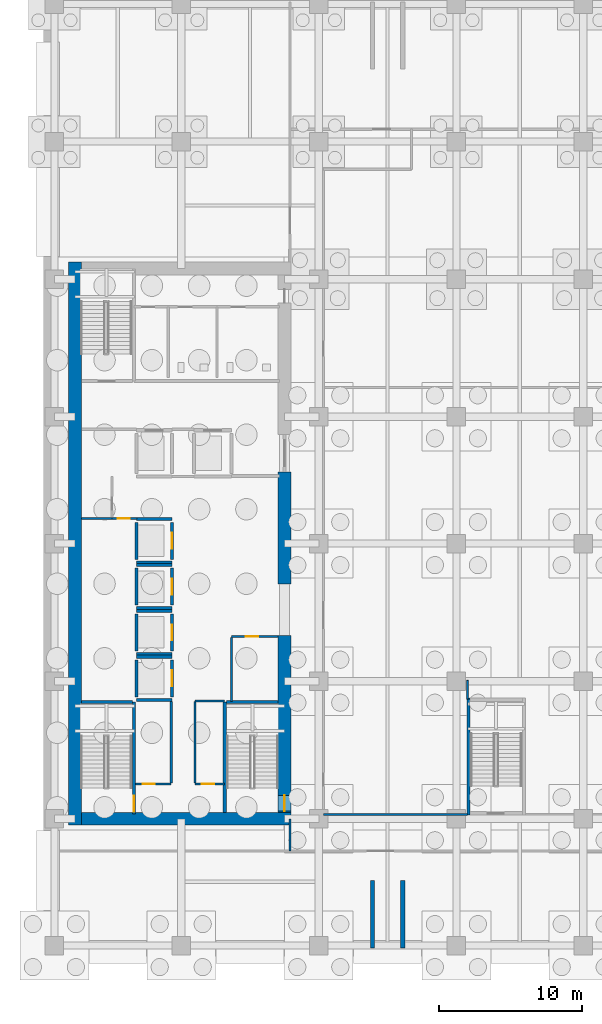
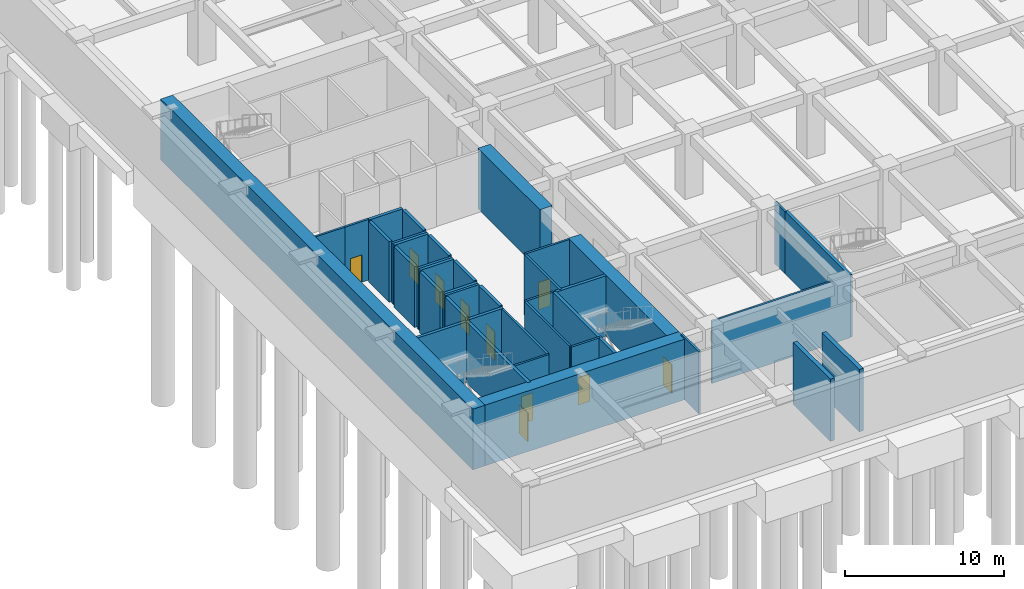
# One storey, part 9 of 20: 39 walls, 10 doors, 10 openings.
"""IFC4 building model written with IfcOpenShell, lengths in metres."""

import ifcopenshell
import ifcopenshell.guid

model = None  # the IFC model being written
_history = None  # IfcOwnerHistory: only IFC2X3 demands one
_inside = {}  # id of a spatial element -> (the spatial element, [elements in it])
_under = {}  # id of a project, library or spatial element -> (it, [spatial elements below it])
_declared = {}  # id of a project -> (the project, [libraries it declares])
_typed = {}  # id of a type object -> (the type object, [elements of that type])
_made_of = {}  # id of a material, layer set ... -> (it, [elements and type objects made of it])


def new_model(schema):
    """Start an empty IFC model of exactly this schema.

    Asked for "IFC4X3", IfcOpenShell would pick the latest addendum, in which some entities
    have other attributes; the version numbers below select the first issue.
    IFC2X3 requires an IfcOwnerHistory on every rooted entity: one is made here for all.
    """
    global model, _history
    if schema == "IFC4X3":
        model = ifcopenshell.file(schema_version=(4, 3, 0, 0))
    else:
        model = ifcopenshell.file(schema=schema)
    _inside.clear()
    _under.clear()
    _declared.clear()
    _typed.clear()
    _made_of.clear()
    _history = None
    if model.schema == "IFC2X3":
        org = make("IfcOrganization", Name="unknown")
        user = make(
            "IfcPersonAndOrganization",
            ThePerson=make("IfcPerson", FamilyName="unknown"),
            TheOrganization=org,
        )
        app = make(
            "IfcApplication",
            ApplicationDeveloper=org,
            Version="unknown",
            ApplicationFullName="unknown",
            ApplicationIdentifier="unknown",
        )
        _history = make(
            "IfcOwnerHistory",
            OwningUser=user,
            OwningApplication=app,
            ChangeAction="ADDED",
            CreationDate=0,
        )
    return model


def make(cls, **values):
    """One entity of the class cls with the attributes given. An attribute that is None is left unset."""
    return model.create_entity(
        cls, **{name: value for name, value in values.items() if value is not None}
    )


def rooted(cls, **values):
    """An entity with a GlobalId (a new one), such as an element, a storey or a relation."""
    return make(cls, GlobalId=ifcopenshell.guid.new(), OwnerHistory=_history, **values)


def si_unit(unit_type, name, prefix=None):
    """IfcSIUnit, for example si_unit("LENGTHUNIT", "METRE", prefix="MILLI")."""
    return make("IfcSIUnit", UnitType=unit_type, Prefix=prefix, Name=name)


def assignment(units):
    """IfcUnitAssignment: the units of a project."""
    return None if units is None else make("IfcUnitAssignment", Units=units)


def point(xyz):
    """IfcCartesianPoint."""
    return None if xyz is None else make("IfcCartesianPoint", Coordinates=xyz)


def direction(xyz):
    """IfcDirection."""
    return None if xyz is None else make("IfcDirection", DirectionRatios=xyz)


def frame(location, z_axis=None, x_axis=None):
    """IfcAxis2Placement3D, a coordinate frame: its origin and axes. An axis left out is left unset."""
    return make(
        "IfcAxis2Placement3D",
        Location=point(location),
        Axis=direction(z_axis),
        RefDirection=direction(x_axis),
    )


def frame_2d(location, x_axis=None):
    """IfcAxis2Placement2D, a coordinate frame in the plane: its origin and x axis."""
    return make(
        "IfcAxis2Placement2D", Location=point(location), RefDirection=direction(x_axis)
    )


def origin():
    """The frame at (0, 0, 0) with its axes left unset."""
    return frame((0.0, 0.0, 0.0))


def place(relative_to, where):
    """IfcLocalPlacement: puts the frame where relative to a parent placement (None: the world)."""
    return make(
        "IfcLocalPlacement", PlacementRelTo=relative_to, RelativePlacement=where
    )


def context(
    kind, dimensions, precision=None, world=None, true_north=None, identifier=None
):
    """IfcGeometricRepresentationContext, for example the 3D "Model" context."""
    return make(
        "IfcGeometricRepresentationContext",
        ContextIdentifier=identifier,
        ContextType=kind,
        CoordinateSpaceDimension=dimensions,
        Precision=precision,
        WorldCoordinateSystem=world,
        TrueNorth=true_north,
    )


def subcontext(parent, identifier, kind, view, scale=None):
    """IfcGeometricRepresentationSubContext, for example "Body" below "Model"."""
    return make(
        "IfcGeometricRepresentationSubContext",
        ContextIdentifier=identifier,
        ContextType=kind,
        ParentContext=parent,
        TargetScale=scale,
        TargetView=view,
    )


def project(units=None, contexts=None):
    """IfcProject with its units and contexts."""
    return rooted(
        "IfcProject",
        Name="project",
        RepresentationContexts=contexts,
        UnitsInContext=assignment(units),
    )


def spatial(cls, under=None, at=None, **own):
    """A site, building, storey or space (cls), placed at a placement, below another one or the project."""
    s = rooted(cls, ObjectPlacement=at, **own)
    if under is not None:
        _under.setdefault(under.id(), (under, []))[1].append(s)
    return s


def profile(cls, at=None, kind="AREA", **sizes):
    """A parametric profile (cls). Its sizes go by their IFC names, for example OverallWidth=200.0."""
    return make(cls, ProfileType=kind, Position=at, **sizes)


def rectangle(**sizes):
    """IfcRectangleProfileDef."""
    return profile("IfcRectangleProfileDef", **sizes)


def extrude(swept, where, along, depth):
    """IfcExtrudedAreaSolid: the profile swept, set in the frame where, extruded along a direction by depth."""
    return make(
        "IfcExtrudedAreaSolid",
        SweptArea=swept,
        Position=where,
        ExtrudedDirection=direction(along),
        Depth=depth,
    )


def shape(context_of_items, identifier, shape_type, items):
    """IfcShapeRepresentation: the items that make up one representation, for example the "Body"."""
    return make(
        "IfcShapeRepresentation",
        ContextOfItems=context_of_items,
        RepresentationIdentifier=identifier,
        RepresentationType=shape_type,
        Items=items,
    )


def material(Name=None, Category=None):
    """IfcMaterial."""
    return make("IfcMaterial", Name=Name, Category=Category)


def layer(
    of_material, thickness, ventilated=None, Name=None, Category=None, Priority=None
):
    """IfcMaterialLayer: one layer of a wall or slab, of a material (None: an air gap)."""
    return make(
        "IfcMaterialLayer",
        Material=of_material,
        LayerThickness=thickness,
        IsVentilated=ventilated,
        Name=Name,
        Category=Category,
        Priority=Priority,
    )


def layer_set(layers, Name=None):
    """IfcMaterialLayerSet."""
    return make("IfcMaterialLayerSet", MaterialLayers=layers, LayerSetName=Name)


def made_of(thing, what):
    """Note that an element or type object is made of a material, layer set ...; save() writes the relation."""
    if what is not None:
        _made_of.setdefault(what.id(), (what, []))[1].append(thing)
    return thing


def type_object(cls, material=None, **own):
    """A type object (cls), such as IfcWallType, which elements share."""
    return made_of(rooted(cls, **own), material)


def element(
    cls,
    number,
    at=None,
    inside=None,
    cuts=None,
    type_object=None,
    material=None,
    context=None,
    identifier="Body",
    shape_type=None,
    held_by="IfcProductDefinitionShape",
    body=None,
    shapes=None,
    **own,
):
    """One element of the class cls, such as IfcWall. Its Tag is "e" and its number.

    at: its placement. inside: the storey or other place that contains it. cuts: it is an
    opening in that element (IfcRelVoidsElement). A single representation is given by context,
    identifier, shape_type and body (its items); several are given by shapes. held_by: the class
    of the entity that holds the representations. save() writes the other relations.
    """
    e = rooted(cls, Tag="e%d" % number, ObjectPlacement=at, **own)
    if body is not None:
        shapes = [shape(context, identifier, shape_type, body)]
    if shapes is not None:
        e.Representation = make(held_by, Representations=shapes)
    if inside is not None:
        _inside.setdefault(inside.id(), (inside, []))[1].append(e)
    if cuts is not None:
        rooted(
            "IfcRelVoidsElement", RelatingBuildingElement=cuts, RelatedOpeningElement=e
        )
    if type_object is not None:
        _typed.setdefault(type_object.id(), (type_object, []))[1].append(e)
    return made_of(e, material)


def fill(opening, filler):
    """IfcRelFillsElement: the door or window that sits in an opening."""
    return rooted(
        "IfcRelFillsElement",
        RelatingOpeningElement=opening,
        RelatedBuildingElement=filler,
    )


def aggregate(whole, parts):
    """IfcRelAggregates: a whole, such as a stair, and the parts it consists of."""
    return rooted("IfcRelAggregates", RelatingObject=whole, RelatedObjects=parts)


def save(model, path):
    """Write the relations noted so far, then the file.

    IfcRelAggregates (storeys below a building ...), IfcRelContainedInSpatialStructure (elements
    in a storey), IfcRelDefinesByType, IfcRelAssociatesMaterial and IfcRelDeclares: one each for
    every whole, place, type object, material and project.
    """
    for whole, parts in _under.values():
        aggregate(whole, parts)
    for where, things in _inside.values():
        rooted(
            "IfcRelContainedInSpatialStructure",
            RelatedElements=things,
            RelatingStructure=where,
        )
    for kind, things in _typed.values():
        rooted("IfcRelDefinesByType", RelatedObjects=things, RelatingType=kind)
    for what, things in _made_of.values():
        rooted("IfcRelAssociatesMaterial", RelatedObjects=things, RelatingMaterial=what)
    for by, libraries in _declared.values():
        rooted("IfcRelDeclares", RelatingContext=by, RelatedDefinitions=libraries)
    model.write(path)


model = new_model("IFC4")

# Units and contexts
model_context = context("Model", 3, precision=1e-05, world=origin(), true_north=direction((0.0, 1.0)))
body_context = subcontext(model_context, "Body", "Model", "MODEL_VIEW")
ifc_project = project(units=[si_unit("LENGTHUNIT", "METRE"), si_unit("AREAUNIT", "SQUARE_METRE"), si_unit("VOLUMEUNIT", "CUBIC_METRE"), si_unit("PLANEANGLEUNIT", "RADIAN"), si_unit("MASSUNIT", "GRAM", prefix="KILO")], contexts=[model_context])

# Site, building, storey
site_placement = place(None, origin())
site = spatial("IfcSite", under=ifc_project, at=site_placement, CompositionType="ELEMENT")
building_placement = place(site_placement, origin())
building = spatial("IfcBuilding", under=site, at=building_placement, Name="Norrvale University Quadrangle", CompositionType="ELEMENT")
storey_placement = place(building_placement, frame((0.0, 0.0, -5.0)))
storey = spatial("IfcBuildingStorey", under=building, at=storey_placement, Name="B01", CompositionType="ELEMENT", Elevation=-5.0)

# Walls
ifc_material_1 = material(Name="Concrete C80/95", Category="concrete")
ifc_layer_1 = layer(ifc_material_1, 0.89990234375, Name="Concrete C80/95")
ifc_layer_set_1 = layer_set([ifc_layer_1], Name="Concrete C80/95")
wall_type_1 = type_object("IfcWallType", Name="Wall Core 900", PredefinedType="SHEAR", material=ifc_layer_set_1)
wall_1_placement = place(storey_placement, frame((2.64990234375, 9.60009765625, 0.0), z_axis=(0.0, 0.0, 1.0), x_axis=(1.0, 0.0, 0.0)))
element("IfcWall", 1, at=wall_1_placement, inside=storey, type_object=wall_type_1, Name="Tower Core Shear Wall B01-S", PredefinedType="SHEAR", context=body_context, shape_type="SweptSolid", body=[
    extrude(rectangle(XDim=14.60009765625, YDim=0.89990234375, at=frame_2d((7.300048828125, 0.0))), origin(), (0.0, 0.0, 1.0), 4.659912109375),
])
wall_2_placement = place(storey_placement, frame((2.199951171875, 9.14990234375, 0.0), z_axis=(0.0, 0.0, 1.0), x_axis=(0.0, 1.0, 0.0)))
element("IfcWall", 2, at=wall_2_placement, inside=storey, type_object=wall_type_1, Name="Tower Core Shear Wall B01-W", PredefinedType="SHEAR", context=body_context, shape_type="SweptSolid", body=[
    extrude(rectangle(XDim=39.300048828125, YDim=0.89990234375, at=frame_2d((19.64990234375, 0.0))), origin(), (0.0, 0.0, 1.0), 4.659912109375),
])

# Wall, opening, door
wall_3_placement = place(storey_placement, frame((16.800048828125, 10.050048828125, 0.0), z_axis=(0.0, 0.0, 1.0), x_axis=(0.0, 1.0, 0.0)))
wall_3 = element("IfcWall", 3, at=wall_3_placement, inside=storey, type_object=wall_type_1, Name="Tower Core Shear Wall B01-E1", PredefinedType="SHEAR", context=body_context, shape_type="SweptSolid", body=[
    extrude(rectangle(XDim=12.349853515625, YDim=0.89990234375, at=frame_2d((6.1748046875, 0.0))), origin(), (0.0, 0.0, 1.0), 4.659912109375),
])
opening_1_placement = place(wall_3_placement, frame((0.090087890625, 0.0, 0.0)))
opening_1 = element("IfcOpeningElement", 4, at=opening_1_placement, cuts=wall_3, Name="Opening D02", PredefinedType="OPENING", context=body_context, shape_type="SweptSolid", body=[
    extrude(rectangle(XDim=1.10009765625, YDim=2.199951171875, at=frame_2d((0.550048828125, 1.10009765625))), frame((0.0, 0.4619140625, 0.0), z_axis=(0.0, -1.0, 0.0), x_axis=(1.0, 0.0, 0.0)), (0.0, 0.0, 1.0), 0.923828125),
])
ifc_material_2 = material(Name="Hollow Steel 350W Fire Door", Category="steel")
door_type_1 = type_object("IfcDoorType", Name="Door Stair Exit 1100x2200", OperationType="NOTDEFINED", PredefinedType="DOOR", material=ifc_material_2)
door_1_placement = place(opening_1_placement, origin())
door_1 = element("IfcDoor", 5, at=door_1_placement, inside=storey, type_object=door_type_1, Name="Door Stair Exit 1100x2200 DR-B01-ST03", OperationType="SINGLE_SWING_LEFT", OverallHeight=2.199951171875, OverallWidth=1.10009765625, PredefinedType="DOOR", context=body_context, shape_type="SweptSolid", body=[
    extrude(rectangle(XDim=1.10009765625, YDim=2.199951171875, at=frame_2d((0.550048828125, 1.10009765625))), frame((0.0, 0.02490234375, 0.0), z_axis=(0.0, -1.0, 0.0), x_axis=(1.0, 0.0, 0.0)), (0.0, 0.0, 1.0), 0.050048828125),
])
fill(opening_1, door_1)

# Walls
wall_4_placement = place(storey_placement, frame((16.800048828125, 26.0, 0.0), z_axis=(0.0, 0.0, 1.0), x_axis=(0.0, 1.0, 0.0)))
element("IfcWall", 6, at=wall_4_placement, inside=storey, type_object=wall_type_1, Name="Tower Core Shear Wall B01-E2", PredefinedType="SHEAR", context=body_context, shape_type="SweptSolid", body=[
    extrude(rectangle(XDim=7.800048828125, YDim=0.89990234375, at=frame_2d((3.89990234375, 0.0))), origin(), (0.0, 0.0, 1.0), 4.659912109375),
])
ifc_material_3 = material(Name="Standard Academic Gypsum Partition")
ifc_layer_2 = layer(ifc_material_3, 0.125, Name="Standard Academic Gypsum Partition")
ifc_layer_set_2 = layer_set([ifc_layer_2], Name="Standard Academic Gypsum Partition")
wall_type_2 = type_object("IfcWallType", Name="Wall Gypsum Academic 125", PredefinedType="PARTITIONING", material=ifc_layer_set_2)
wall_5_placement = place(storey_placement, frame((29.580078125, 17.949951171875, 0.0), z_axis=(0.0, 0.0, 1.0), x_axis=(0.0, 1.0, 0.0)))
element("IfcWall", 7, at=wall_5_placement, inside=storey, type_object=wall_type_2, Name="Interior Partition WL-B01-AR-E", PredefinedType="PARTITIONING", context=body_context, shape_type="SweptSolid", body=[
    extrude(rectangle(XDim=1.300048828125, YDim=0.125, at=frame_2d((0.64990234375, 0.0))), origin(), (0.0, 0.0, 1.0), 4.780029296875),
])

# Wall, opening, door
ifc_material_4 = material(Name="Fire-Rated Gypsum Stud Partition")
ifc_layer_3 = layer(ifc_material_4, 0.14990234375, Name="Fire-Rated Gypsum Stud Partition")
ifc_layer_set_3 = layer_set([ifc_layer_3], Name="Fire-Rated Gypsum Stud Partition")
wall_type_3 = type_object("IfcWallType", Name="Wall Gypsum Corridor 150", PredefinedType="PARTITIONING", material=ifc_layer_set_3)
wall_6_placement = place(storey_placement, frame((6.419921875, 12.02001953125, 0.0), z_axis=(0.0, 0.0, 1.0), x_axis=(1.0, 0.0, 0.0)))
wall_6 = element("IfcWall", 8, at=wall_6_placement, inside=storey, type_object=wall_type_3, Name="Interior Partition WL-B01-SC-NL", PredefinedType="PARTITIONING", context=body_context, shape_type="SweptSolid", body=[
    extrude(rectangle(XDim=2.47998046875, YDim=0.14990234375, at=frame_2d((1.239990234375, 0.0))), origin(), (0.0, 0.0, 1.0), 4.659912109375),
])
opening_2_placement = place(wall_6_placement, frame((0.5, 0.0, 0.0)))
opening_2 = element("IfcOpeningElement", 9, at=opening_2_placement, cuts=wall_6, Name="Opening D10", PredefinedType="OPENING", context=body_context, shape_type="SweptSolid", body=[
    extrude(rectangle(XDim=0.85009765625, YDim=2.10009765625, at=frame_2d((0.425048828125, 1.050048828125))), frame((0.0, 0.0869140625, 0.0), z_axis=(0.0, -1.0, 0.0), x_axis=(1.0, 0.0, 0.0)), (0.0, 0.0, 1.0), 0.173828125),
])
ifc_material_5 = material(Name="Hollow Steel 350W Riser Fire Door", Category="steel")
door_type_2 = type_object("IfcDoorType", Name="Door Riser 850x2100", OperationType="NOTDEFINED", PredefinedType="DOOR", material=ifc_material_5)
door_2_placement = place(opening_2_placement, origin())
door_2 = element("IfcDoor", 10, at=door_2_placement, inside=storey, type_object=door_type_2, Name="Door Riser 850x2100 DR-B01-ELEC", OperationType="SINGLE_SWING_LEFT", OverallHeight=2.10009765625, OverallWidth=0.85009765625, PredefinedType="DOOR", context=body_context, shape_type="SweptSolid", body=[
    extrude(rectangle(XDim=0.85009765625, YDim=2.10009765625, at=frame_2d((0.425048828125, 1.050048828125))), frame((0.0, 0.02490234375, 0.0), z_axis=(0.0, -1.0, 0.0), x_axis=(1.0, 0.0, 0.0)), (0.0, 0.0, 1.0), 0.050048828125),
])
fill(opening_2, door_2)

wall_7_placement = place(storey_placement, frame((10.550048828125, 12.02001953125, 0.0), z_axis=(0.0, 0.0, 1.0), x_axis=(1.0, 0.0, 0.0)))
wall_7 = element("IfcWall", 11, at=wall_7_placement, inside=storey, type_object=wall_type_3, Name="Interior Partition WL-B01-SC-NR", PredefinedType="PARTITIONING", context=body_context, shape_type="SweptSolid", body=[
    extrude(rectangle(XDim=2.079833984375, YDim=0.14990234375, at=frame_2d((1.0400390625, 0.0))), origin(), (0.0, 0.0, 1.0), 4.659912109375),
])
opening_3_placement = place(wall_7_placement, frame((0.5, 0.0, 0.0)))
opening_3 = element("IfcOpeningElement", 12, at=opening_3_placement, cuts=wall_7, Name="Opening D10", PredefinedType="OPENING", context=body_context, shape_type="SweptSolid", body=[
    extrude(rectangle(XDim=0.85009765625, YDim=2.10009765625, at=frame_2d((0.425048828125, 1.050048828125))), frame((0.0, 0.0869140625, 0.0), z_axis=(0.0, -1.0, 0.0), x_axis=(1.0, 0.0, 0.0)), (0.0, 0.0, 1.0), 0.173828125),
])
door_3_placement = place(opening_3_placement, origin())
door_3 = element("IfcDoor", 13, at=door_3_placement, inside=storey, type_object=door_type_2, Name="Door Riser 850x2100 DR-B01-IDF", OperationType="SINGLE_SWING_RIGHT", OverallHeight=2.10009765625, OverallWidth=0.85009765625, PredefinedType="DOOR", context=body_context, shape_type="SweptSolid", body=[
    extrude(rectangle(XDim=0.85009765625, YDim=2.10009765625, at=frame_2d((0.425048828125, 1.050048828125))), frame((0.0, 0.02490234375, 0.0), z_axis=(0.0, -1.0, 0.0), x_axis=(1.0, 0.0, 0.0)), (0.0, 0.0, 1.0), 0.050048828125),
])
fill(opening_3, door_3)

# Walls
for number, where, z_axis, x_axis, name in (
    (14, (8.89990234375, 12.094970703125, 0.0), (0.0, 0.0, 1.0), (0.0, 1.0, 0.0), "Interior Partition WL-B01-SC-WL"),
    (15, (10.550048828125, 12.094970703125, 0.0), (0.0, 0.0, 1.0), (0.0, 1.0, 0.0), "Interior Partition WL-B01-SC-WR"),
):
    element("IfcWall", number, at=place(storey_placement, frame(where, z_axis=z_axis, x_axis=x_axis)), inside=storey, type_object=wall_type_3, Name=name, PredefinedType="PARTITIONING", context=body_context, shape_type="SweptSolid", body=[
        extrude(rectangle(XDim=5.679931640625, YDim=0.14990234375, at=frame_2d((2.83984375, 0.0))), origin(), (0.0, 0.0, 1.0), 4.659912109375),
    ])

# Wall, opening, door
wall_8_placement = place(storey_placement, frame((13.1201171875, 22.320068359375, 0.0), z_axis=(0.0, 0.0, 1.0), x_axis=(1.0, 0.0, 0.0)))
wall_8 = element("IfcWall", 16, at=wall_8_placement, inside=storey, type_object=wall_type_3, Name="Interior Partition WL-B01-JAN-N", PredefinedType="PARTITIONING", context=body_context, shape_type="SweptSolid", body=[
    extrude(rectangle(XDim=3.224853515625, YDim=0.14990234375, at=frame_2d((1.6123046875, 0.0))), origin(), (0.0, 0.0, 1.0), 4.659912109375),
])
opening_4_placement = place(wall_8_placement, frame((1.0, 0.0, 0.0)))
opening_4 = element("IfcOpeningElement", 17, at=opening_4_placement, cuts=wall_8, Name="Opening D10", PredefinedType="OPENING", context=body_context, shape_type="SweptSolid", body=[
    extrude(rectangle(XDim=0.85009765625, YDim=2.10009765625, at=frame_2d((0.425048828125, 1.050048828125))), frame((0.0, 0.0869140625, 0.0), z_axis=(0.0, -1.0, 0.0), x_axis=(1.0, 0.0, 0.0)), (0.0, 0.0, 1.0), 0.173828125),
])
door_4_placement = place(opening_4_placement, origin())
door_4 = element("IfcDoor", 18, at=door_4_placement, inside=storey, type_object=door_type_2, Name="Door Riser 850x2100 DR-B01-JAN", OperationType="SINGLE_SWING_LEFT", OverallHeight=2.10009765625, OverallWidth=0.85009765625, PredefinedType="DOOR", context=body_context, shape_type="SweptSolid", body=[
    extrude(rectangle(XDim=0.85009765625, YDim=2.10009765625, at=frame_2d((0.425048828125, 1.050048828125))), frame((0.0, 0.02490234375, 0.0), z_axis=(0.0, -1.0, 0.0), x_axis=(1.0, 0.0, 0.0)), (0.0, 0.0, 1.0), 0.050048828125),
])
fill(opening_4, door_4)

# Walls
wall_9_placement = place(storey_placement, frame((10.550048828125, 17.820068359375, 0.0), z_axis=(0.0, 0.0, 1.0), x_axis=(1.0, 0.0, 0.0)))
element("IfcWall", 19, at=wall_9_placement, inside=storey, type_object=wall_type_3, Name="Interior Partition WL-B01-SC-N2", PredefinedType="PARTITIONING", context=body_context, shape_type="SweptSolid", body=[
    extrude(rectangle(XDim=2.079833984375, YDim=0.14990234375, at=frame_2d((1.0400390625, 0.0))), origin(), (0.0, 0.0, 1.0), 4.659912109375),
])
wall_10_placement = place(storey_placement, frame((13.1201171875, 17.780029296875, 0.0), z_axis=(0.0, 0.0, 1.0), x_axis=(0.0, 1.0, 0.0)))
element("IfcWall", 20, at=wall_10_placement, inside=storey, type_object=wall_type_3, Name="Interior Partition WL-B01-JAN-W", PredefinedType="PARTITIONING", context=body_context, shape_type="SweptSolid", body=[
    extrude(rectangle(XDim=4.465087890625, YDim=0.14990234375, at=frame_2d((2.232421875, 0.0))), origin(), (0.0, 0.0, 1.0), 4.659912109375),
])

# Wall, opening, door
wall_11_placement = place(storey_placement, frame((4.760009765625, 30.550048828125, 0.0), z_axis=(0.0, 0.0, 1.0), x_axis=(1.0, 0.0, 0.0)))
wall_11 = element("IfcWall", 21, at=wall_11_placement, inside=storey, type_object=wall_type_3, Name="Interior Partition WL-B01-WST-N", PredefinedType="PARTITIONING", context=body_context, shape_type="SweptSolid", body=[
    extrude(rectangle(XDim=1.760009765625, YDim=0.14990234375, at=frame_2d((0.8798828125, 0.0))), origin(), (0.0, 0.0, 1.0), 4.659912109375),
])
opening_5_placement = place(wall_11_placement, frame((0.39990234375, 0.0, 0.0)))
opening_5 = element("IfcOpeningElement", 22, at=opening_5_placement, cuts=wall_11, Name="Opening D10", PredefinedType="OPENING", context=body_context, shape_type="SweptSolid", body=[
    extrude(rectangle(XDim=0.85009765625, YDim=2.10009765625, at=frame_2d((0.425048828125, 1.050048828125))), frame((0.0, 0.0869140625, 0.0), z_axis=(0.0, -1.0, 0.0), x_axis=(1.0, 0.0, 0.0)), (0.0, 0.0, 1.0), 0.173828125),
])
door_5_placement = place(opening_5_placement, origin())
door_5 = element("IfcDoor", 23, at=door_5_placement, inside=storey, type_object=door_type_2, Name="Door Riser 850x2100 DR-B01-WST", OperationType="SINGLE_SWING_RIGHT", OverallHeight=2.10009765625, OverallWidth=0.85009765625, PredefinedType="DOOR", context=body_context, shape_type="SweptSolid", body=[
    extrude(rectangle(XDim=0.85009765625, YDim=2.10009765625, at=frame_2d((0.425048828125, 1.050048828125))), frame((0.0, 0.02490234375, 0.0), z_axis=(0.0, -1.0, 0.0), x_axis=(1.0, 0.0, 0.0)), (0.0, 0.0, 1.0), 0.050048828125),
])
fill(opening_5, door_5)

# Walls
wall_12_placement = place(storey_placement, frame((2.64990234375, 30.550048828125, 0.0), z_axis=(0.0, 0.0, 1.0), x_axis=(1.0, 0.0, 0.0)))
element("IfcWall", 24, at=wall_12_placement, inside=storey, type_object=wall_type_3, Name="Interior Partition WL-B01-WST-N2", PredefinedType="PARTITIONING", context=body_context, shape_type="SweptSolid", body=[
    extrude(rectangle(XDim=2.110107421875, YDim=0.14990234375, at=frame_2d((1.05517578125, 0.0))), origin(), (0.0, 0.0, 1.0), 4.659912109375),
])
wall_13_placement = place(storey_placement, frame((17.199951171875, 7.360107421875, 0.0), z_axis=(0.0, 0.0, 1.0), x_axis=(0.0, 1.0, 0.0)))
element("IfcWall", 25, at=wall_13_placement, inside=storey, type_object=wall_type_3, Name="Interior Partition WL-B01-CSW", PredefinedType="PARTITIONING", context=body_context, shape_type="SweptSolid", body=[
    extrude(rectangle(XDim=2.239990234375, YDim=0.14990234375, at=frame_2d((1.1201171875, 0.0))), origin(), (0.0, 0.0, 1.0), 4.780029296875),
])
wall_14_placement = place(storey_placement, frame((19.52001953125, 9.89990234375, 0.0), z_axis=(0.0, 0.0, 1.0), x_axis=(1.0, 0.0, 0.0)))
element("IfcWall", 26, at=wall_14_placement, inside=storey, type_object=wall_type_3, Name="Interior Partition WL-B01-LD-S1", PredefinedType="PARTITIONING", context=body_context, shape_type="SweptSolid", body=[
    extrude(rectangle(XDim=10.06005859375, YDim=0.14990234375, at=frame_2d((5.030029296875, 0.0))), origin(), (0.0, 0.0, 1.0), 4.780029296875),
])
ifc_material_6 = material(Name="Concrete C50/60", Category="concrete")
ifc_layer_4 = layer(ifc_material_6, 0.300048828125, Name="Concrete C50/60")
ifc_layer_set_4 = layer_set([ifc_layer_4], Name="Concrete C50/60")
wall_type_4 = type_object("IfcWallType", Name="Wall Ramp Cheek 300", PredefinedType="SOLIDWALL", material=ifc_layer_set_4)
for number, where, z_axis, x_axis, name in (
    (27, (22.949951171875, 0.60009765625, 0.0), (0.0, 0.0, 1.0), (0.0, 1.0, 0.0), "Plaza Ramp Foundation Cheek Wall S1-W"),
    (28, (25.050048828125, 0.60009765625, 0.0), (0.0, 0.0, 1.0), (0.0, 1.0, 0.0), "Plaza Ramp Foundation Cheek Wall S1-E"),
):
    element("IfcWall", number, at=place(storey_placement, frame(where, z_axis=z_axis, x_axis=x_axis)), inside=storey, type_object=wall_type_4, Name=name, PredefinedType="SOLIDWALL", context=body_context, shape_type="SweptSolid", body=[
        extrude(rectangle(XDim=4.679931640625, YDim=0.300048828125, at=frame_2d((2.33984375, 0.0))), origin(), (0.0, 0.0, 1.0), 4.780029296875),
    ])

# Wall, opening, door
ifc_material_7 = material(Name="Concrete Blockwork 20 MPa Fire Shaft", Category="masonry")
ifc_layer_5 = layer(ifc_material_7, 0.219970703125, Name="Concrete Blockwork 20 MPa Fire Shaft")
ifc_layer_set_5 = layer_set([ifc_layer_5], Name="Concrete Blockwork 20 MPa Fire Shaft")
wall_type_5 = type_object("IfcWallType", Name="Wall Shaft 220", PredefinedType="SOLIDWALL", material=ifc_layer_set_5)
wall_15_placement = place(storey_placement, frame((6.31005859375, 9.949951171875, 0.0), z_axis=(0.0, 0.0, 1.0), x_axis=(0.0, 1.0, 0.0)))
wall_15 = element("IfcWall", 29, at=wall_15_placement, inside=storey, type_object=wall_type_5, Name="Stair ST-01 East Shaft Wall B01", PredefinedType="SOLIDWALL", context=body_context, shape_type="SweptSolid", body=[
    extrude(rectangle(XDim=7.81005859375, YDim=0.219970703125, at=frame_2d((3.905029296875, 0.0))), origin(), (0.0, 0.0, 1.0), 4.659912109375),
])
opening_6_placement = place(wall_15_placement, frame((0.139892578125, 0.0, 0.0)))
opening_6 = element("IfcOpeningElement", 30, at=opening_6_placement, cuts=wall_15, Name="Opening D02", PredefinedType="OPENING", context=body_context, shape_type="SweptSolid", body=[
    extrude(rectangle(XDim=1.10009765625, YDim=2.199951171875, at=frame_2d((0.550048828125, 1.10009765625))), frame((0.0, 0.1220703125, 0.0), z_axis=(0.0, -1.0, 0.0), x_axis=(1.0, 0.0, 0.0)), (0.0, 0.0, 1.0), 0.243896484375),
])
door_6_placement = place(opening_6_placement, origin())
door_6 = element("IfcDoor", 31, at=door_6_placement, inside=storey, type_object=door_type_1, Name="Door Stair Exit 1100x2200 DR-B01-ST01", OperationType="SINGLE_SWING_LEFT", OverallHeight=2.199951171875, OverallWidth=1.10009765625, PredefinedType="DOOR", context=body_context, shape_type="SweptSolid", body=[
    extrude(rectangle(XDim=1.10009765625, YDim=2.199951171875, at=frame_2d((0.550048828125, 1.10009765625))), frame((0.0, 0.02490234375, 0.0), z_axis=(0.0, -1.0, 0.0), x_axis=(1.0, 0.0, 0.0)), (0.0, 0.0, 1.0), 0.050048828125),
])
fill(opening_6, door_6)

# Walls
wall_16_placement = place(storey_placement, frame((2.64990234375, 17.760009765625, 0.0), z_axis=(0.0, 0.0, 1.0), x_axis=(1.0, 0.0, 0.0)))
element("IfcWall", 32, at=wall_16_placement, inside=storey, type_object=wall_type_5, Name="Stair ST-01 North Shaft Wall B01", PredefinedType="SOLIDWALL", context=body_context, shape_type="SweptSolid", body=[
    extrude(rectangle(XDim=3.550048828125, YDim=0.219970703125, at=frame_2d((1.77490234375, 0.0))), origin(), (0.0, 0.0, 1.0), 4.659912109375),
])
wall_17_placement = place(storey_placement, frame((12.639892578125, 10.050048828125, 0.0), z_axis=(0.0, 0.0, 1.0), x_axis=(0.0, 1.0, 0.0)))
element("IfcWall", 33, at=wall_17_placement, inside=storey, type_object=wall_type_5, Name="Stair ST-03 West Shaft Wall B01", PredefinedType="SOLIDWALL", context=body_context, shape_type="SweptSolid", body=[
    extrude(rectangle(XDim=7.7099609375, YDim=0.219970703125, at=frame_2d((3.85498046875, 0.0))), origin(), (0.0, 0.0, 1.0), 4.659912109375),
])
wall_18_placement = place(storey_placement, frame((12.75, 17.760009765625, 0.0), z_axis=(0.0, 0.0, 1.0), x_axis=(1.0, 0.0, 0.0)))
element("IfcWall", 34, at=wall_18_placement, inside=storey, type_object=wall_type_5, Name="Stair ST-03 North Shaft Wall B01", PredefinedType="SOLIDWALL", context=body_context, shape_type="SweptSolid", body=[
    extrude(rectangle(XDim=3.60009765625, YDim=0.219970703125, at=frame_2d((1.800048828125, 0.0))), origin(), (0.0, 0.0, 1.0), 4.659912109375),
])
wall_19_placement = place(storey_placement, frame((29.639892578125, 9.8798828125, 0.0), z_axis=(0.0, 0.0, 1.0), x_axis=(0.0, 1.0, 0.0)))
element("IfcWall", 35, at=wall_19_placement, inside=storey, type_object=wall_type_5, Name="Stair ST-04 West Shaft Wall B01", PredefinedType="SOLIDWALL", context=body_context, shape_type="SweptSolid", body=[
    extrude(rectangle(XDim=8.14013671875, YDim=0.219970703125, at=frame_2d((4.070068359375, 0.0))), origin(), (0.0, 0.0, 1.0), 4.780029296875),
])
wall_20_placement = place(storey_placement, frame((6.489990234375, 18.110107421875, 0.0), z_axis=(0.0, 0.0, 1.0), x_axis=(0.0, 1.0, 0.0)))
element("IfcWall", 36, at=wall_20_placement, inside=storey, type_object=wall_type_5, Name="Hoistway PL-01 West Wall B01", PredefinedType="SOLIDWALL", context=body_context, shape_type="SweptSolid", body=[
    extrude(rectangle(XDim=2.579833984375, YDim=0.219970703125, at=frame_2d((1.2900390625, 0.0))), origin(), (0.0, 0.0, 1.0), 4.659912109375),
])

# Wall, opening, door
wall_21_placement = place(storey_placement, frame((8.9599609375, 18.110107421875, 0.0), z_axis=(0.0, 0.0, 1.0), x_axis=(0.0, 1.0, 0.0)))
wall_21 = element("IfcWall", 37, at=wall_21_placement, inside=storey, type_object=wall_type_5, Name="Hoistway PL-01 East Wall B01", PredefinedType="SOLIDWALL", context=body_context, shape_type="SweptSolid", body=[
    extrude(rectangle(XDim=2.579833984375, YDim=0.219970703125, at=frame_2d((1.2900390625, 0.0))), origin(), (0.0, 0.0, 1.0), 4.659912109375),
])
opening_7_placement = place(wall_21_placement, frame((0.739990234375, 0.0, 0.0)))
opening_7 = element("IfcOpeningElement", 38, at=opening_7_placement, cuts=wall_21, Name="Opening LD1", PredefinedType="OPENING", context=body_context, shape_type="SweptSolid", body=[
    extrude(rectangle(XDim=1.10009765625, YDim=2.199951171875, at=frame_2d((0.550048828125, 1.10009765625))), frame((0.0, 0.1220703125, 0.0), z_axis=(0.0, -1.0, 0.0), x_axis=(1.0, 0.0, 0.0)), (0.0, 0.0, 1.0), 0.243896484375),
])
ifc_material_8 = material(Name="Stainless Steel 316L Lift Landing Door", Category="steel")
door_type_3 = type_object("IfcDoorType", Name="Door Lift Landing 1100x2200", OperationType="DOUBLE_DOOR_SLIDING", PredefinedType="DOOR", material=ifc_material_8)
door_7_placement = place(opening_7_placement, origin())
door_7 = element("IfcDoor", 39, at=door_7_placement, inside=storey, type_object=door_type_3, Name="Elevator Landing Door DR-B01-PL-01", OperationType="DOUBLE_DOOR_SLIDING", OverallHeight=2.199951171875, OverallWidth=1.10009765625, PredefinedType="DOOR", context=body_context, shape_type="SweptSolid", body=[
    extrude(rectangle(XDim=1.10009765625, YDim=2.199951171875, at=frame_2d((0.550048828125, 1.10009765625))), frame((0.0, 0.02490234375, 0.0), z_axis=(0.0, -1.0, 0.0), x_axis=(1.0, 0.0, 0.0)), (0.0, 0.0, 1.0), 0.050048828125),
])
fill(opening_7, door_7)

# Walls
for number, where, z_axis, x_axis, name in (
    (40, (6.489990234375, 17.889892578125, 0.0), (0.0, 0.0, 1.0), (1.0, 0.0, 0.0), "Hoistway PL-01 South Wall B01"),
    (41, (6.489990234375, 20.909912109375, 0.0), (0.0, 0.0, 1.0), (1.0, 0.0, 0.0), "Hoistway PL-01 North Wall B01"),
):
    element("IfcWall", number, at=place(storey_placement, frame(where, z_axis=z_axis, x_axis=x_axis)), inside=storey, type_object=wall_type_5, Name=name, PredefinedType="SOLIDWALL", context=body_context, shape_type="SweptSolid", body=[
        extrude(rectangle(XDim=2.469970703125, YDim=0.219970703125, at=frame_2d((1.23486328125, 0.0))), origin(), (0.0, 0.0, 1.0), 4.659912109375),
    ])
wall_22_placement = place(storey_placement, frame((6.489990234375, 21.31005859375, 0.0), z_axis=(0.0, 0.0, 1.0), x_axis=(0.0, 1.0, 0.0)))
element("IfcWall", 42, at=wall_22_placement, inside=storey, type_object=wall_type_5, Name="Hoistway PL-02 West Wall B01", PredefinedType="SOLIDWALL", context=body_context, shape_type="SweptSolid", body=[
    extrude(rectangle(XDim=2.579833984375, YDim=0.219970703125, at=frame_2d((1.2900390625, 0.0))), origin(), (0.0, 0.0, 1.0), 4.659912109375),
])

# Wall, opening, door
wall_23_placement = place(storey_placement, frame((8.9599609375, 21.31005859375, 0.0), z_axis=(0.0, 0.0, 1.0), x_axis=(0.0, 1.0, 0.0)))
wall_23 = element("IfcWall", 43, at=wall_23_placement, inside=storey, type_object=wall_type_5, Name="Hoistway PL-02 East Wall B01", PredefinedType="SOLIDWALL", context=body_context, shape_type="SweptSolid", body=[
    extrude(rectangle(XDim=2.579833984375, YDim=0.219970703125, at=frame_2d((1.2900390625, 0.0))), origin(), (0.0, 0.0, 1.0), 4.659912109375),
])
opening_8_placement = place(wall_23_placement, frame((0.739990234375, 0.0, 0.0)))
opening_8 = element("IfcOpeningElement", 44, at=opening_8_placement, cuts=wall_23, Name="Opening LD1", PredefinedType="OPENING", context=body_context, shape_type="SweptSolid", body=[
    extrude(rectangle(XDim=1.10009765625, YDim=2.199951171875, at=frame_2d((0.550048828125, 1.10009765625))), frame((0.0, 0.1220703125, 0.0), z_axis=(0.0, -1.0, 0.0), x_axis=(1.0, 0.0, 0.0)), (0.0, 0.0, 1.0), 0.243896484375),
])
door_8_placement = place(opening_8_placement, origin())
door_8 = element("IfcDoor", 45, at=door_8_placement, inside=storey, type_object=door_type_3, Name="Elevator Landing Door DR-B01-PL-02", OperationType="DOUBLE_DOOR_SLIDING", OverallHeight=2.199951171875, OverallWidth=1.10009765625, PredefinedType="DOOR", context=body_context, shape_type="SweptSolid", body=[
    extrude(rectangle(XDim=1.10009765625, YDim=2.199951171875, at=frame_2d((0.550048828125, 1.10009765625))), frame((0.0, 0.02490234375, 0.0), z_axis=(0.0, -1.0, 0.0), x_axis=(1.0, 0.0, 0.0)), (0.0, 0.0, 1.0), 0.050048828125),
])
fill(opening_8, door_8)

# Walls
for number, where, z_axis, x_axis, name in (
    (46, (6.489990234375, 21.090087890625, 0.0), (0.0, 0.0, 1.0), (1.0, 0.0, 0.0), "Hoistway PL-02 South Wall B01"),
    (47, (6.489990234375, 24.110107421875, 0.0), (0.0, 0.0, 1.0), (1.0, 0.0, 0.0), "Hoistway PL-02 North Wall B01"),
):
    element("IfcWall", number, at=place(storey_placement, frame(where, z_axis=z_axis, x_axis=x_axis)), inside=storey, type_object=wall_type_5, Name=name, PredefinedType="SOLIDWALL", context=body_context, shape_type="SweptSolid", body=[
        extrude(rectangle(XDim=2.469970703125, YDim=0.219970703125, at=frame_2d((1.23486328125, 0.0))), origin(), (0.0, 0.0, 1.0), 4.659912109375),
    ])
wall_24_placement = place(storey_placement, frame((6.489990234375, 24.510009765625, 0.0), z_axis=(0.0, 0.0, 1.0), x_axis=(0.0, 1.0, 0.0)))
element("IfcWall", 48, at=wall_24_placement, inside=storey, type_object=wall_type_5, Name="Hoistway PL-03 West Wall B01", PredefinedType="SOLIDWALL", context=body_context, shape_type="SweptSolid", body=[
    extrude(rectangle(XDim=2.580078125, YDim=0.219970703125, at=frame_2d((1.2900390625, 0.0))), origin(), (0.0, 0.0, 1.0), 4.659912109375),
])

# Wall, opening, door
wall_25_placement = place(storey_placement, frame((8.9599609375, 24.510009765625, 0.0), z_axis=(0.0, 0.0, 1.0), x_axis=(0.0, 1.0, 0.0)))
wall_25 = element("IfcWall", 49, at=wall_25_placement, inside=storey, type_object=wall_type_5, Name="Hoistway PL-03 East Wall B01", PredefinedType="SOLIDWALL", context=body_context, shape_type="SweptSolid", body=[
    extrude(rectangle(XDim=2.580078125, YDim=0.219970703125, at=frame_2d((1.2900390625, 0.0))), origin(), (0.0, 0.0, 1.0), 4.659912109375),
])
opening_9_placement = place(wall_25_placement, frame((0.739990234375, 0.0, 0.0)))
opening_9 = element("IfcOpeningElement", 50, at=opening_9_placement, cuts=wall_25, Name="Opening LD1", PredefinedType="OPENING", context=body_context, shape_type="SweptSolid", body=[
    extrude(rectangle(XDim=1.10009765625, YDim=2.199951171875, at=frame_2d((0.550048828125, 1.10009765625))), frame((0.0, 0.1220703125, 0.0), z_axis=(0.0, -1.0, 0.0), x_axis=(1.0, 0.0, 0.0)), (0.0, 0.0, 1.0), 0.243896484375),
])
door_9_placement = place(opening_9_placement, origin())
door_9 = element("IfcDoor", 51, at=door_9_placement, inside=storey, type_object=door_type_3, Name="Elevator Landing Door DR-B01-PL-03", OperationType="DOUBLE_DOOR_SLIDING", OverallHeight=2.199951171875, OverallWidth=1.10009765625, PredefinedType="DOOR", context=body_context, shape_type="SweptSolid", body=[
    extrude(rectangle(XDim=1.10009765625, YDim=2.199951171875, at=frame_2d((0.550048828125, 1.10009765625))), frame((0.0, 0.02490234375, 0.0), z_axis=(0.0, -1.0, 0.0), x_axis=(1.0, 0.0, 0.0)), (0.0, 0.0, 1.0), 0.050048828125),
])
fill(opening_9, door_9)

# Walls
for number, where, z_axis, x_axis, name in (
    (52, (6.489990234375, 24.2900390625, 0.0), (0.0, 0.0, 1.0), (1.0, 0.0, 0.0), "Hoistway PL-03 South Wall B01"),
    (53, (6.489990234375, 27.31005859375, 0.0), (0.0, 0.0, 1.0), (1.0, 0.0, 0.0), "Hoistway PL-03 North Wall B01"),
):
    element("IfcWall", number, at=place(storey_placement, frame(where, z_axis=z_axis, x_axis=x_axis)), inside=storey, type_object=wall_type_5, Name=name, PredefinedType="SOLIDWALL", context=body_context, shape_type="SweptSolid", body=[
        extrude(rectangle(XDim=2.469970703125, YDim=0.219970703125, at=frame_2d((1.23486328125, 0.0))), origin(), (0.0, 0.0, 1.0), 4.659912109375),
    ])
wall_26_placement = place(storey_placement, frame((6.489990234375, 27.7099609375, 0.0), z_axis=(0.0, 0.0, 1.0), x_axis=(0.0, 1.0, 0.0)))
element("IfcWall", 54, at=wall_26_placement, inside=storey, type_object=wall_type_5, Name="Hoistway PL-04 West Wall B01", PredefinedType="SOLIDWALL", context=body_context, shape_type="SweptSolid", body=[
    extrude(rectangle(XDim=2.580078125, YDim=0.219970703125, at=frame_2d((1.2900390625, 0.0))), origin(), (0.0, 0.0, 1.0), 4.659912109375),
])

# Wall, opening, door
wall_27_placement = place(storey_placement, frame((8.9599609375, 27.7099609375, 0.0), z_axis=(0.0, 0.0, 1.0), x_axis=(0.0, 1.0, 0.0)))
wall_27 = element("IfcWall", 55, at=wall_27_placement, inside=storey, type_object=wall_type_5, Name="Hoistway PL-04 East Wall B01", PredefinedType="SOLIDWALL", context=body_context, shape_type="SweptSolid", body=[
    extrude(rectangle(XDim=2.580078125, YDim=0.219970703125, at=frame_2d((1.2900390625, 0.0))), origin(), (0.0, 0.0, 1.0), 4.659912109375),
])
opening_10_placement = place(wall_27_placement, frame((0.739990234375, 0.0, 0.0)))
opening_10 = element("IfcOpeningElement", 56, at=opening_10_placement, cuts=wall_27, Name="Opening LD1", PredefinedType="OPENING", context=body_context, shape_type="SweptSolid", body=[
    extrude(rectangle(XDim=1.10009765625, YDim=2.199951171875, at=frame_2d((0.550048828125, 1.10009765625))), frame((0.0, 0.1220703125, 0.0), z_axis=(0.0, -1.0, 0.0), x_axis=(1.0, 0.0, 0.0)), (0.0, 0.0, 1.0), 0.243896484375),
])
door_10_placement = place(opening_10_placement, origin())
door_10 = element("IfcDoor", 57, at=door_10_placement, inside=storey, type_object=door_type_3, Name="Elevator Landing Door DR-B01-PL-04", OperationType="DOUBLE_DOOR_SLIDING", OverallHeight=2.199951171875, OverallWidth=1.10009765625, PredefinedType="DOOR", context=body_context, shape_type="SweptSolid", body=[
    extrude(rectangle(XDim=1.10009765625, YDim=2.199951171875, at=frame_2d((0.550048828125, 1.10009765625))), frame((0.0, 0.02490234375, 0.0), z_axis=(0.0, -1.0, 0.0), x_axis=(1.0, 0.0, 0.0)), (0.0, 0.0, 1.0), 0.050048828125),
])
fill(opening_10, door_10)

# Walls
for number, where, z_axis, x_axis, name in (
    (58, (6.489990234375, 27.489990234375, 0.0), (0.0, 0.0, 1.0), (1.0, 0.0, 0.0), "Hoistway PL-04 South Wall B01"),
    (59, (6.489990234375, 30.510009765625, 0.0), (0.0, 0.0, 1.0), (1.0, 0.0, 0.0), "Hoistway PL-04 North Wall B01"),
):
    element("IfcWall", number, at=place(storey_placement, frame(where, z_axis=z_axis, x_axis=x_axis)), inside=storey, type_object=wall_type_5, Name=name, PredefinedType="SOLIDWALL", context=body_context, shape_type="SweptSolid", body=[
        extrude(rectangle(XDim=2.469970703125, YDim=0.219970703125, at=frame_2d((1.23486328125, 0.0))), origin(), (0.0, 0.0, 1.0), 4.659912109375),
    ])

save(model, "model.ifc")
